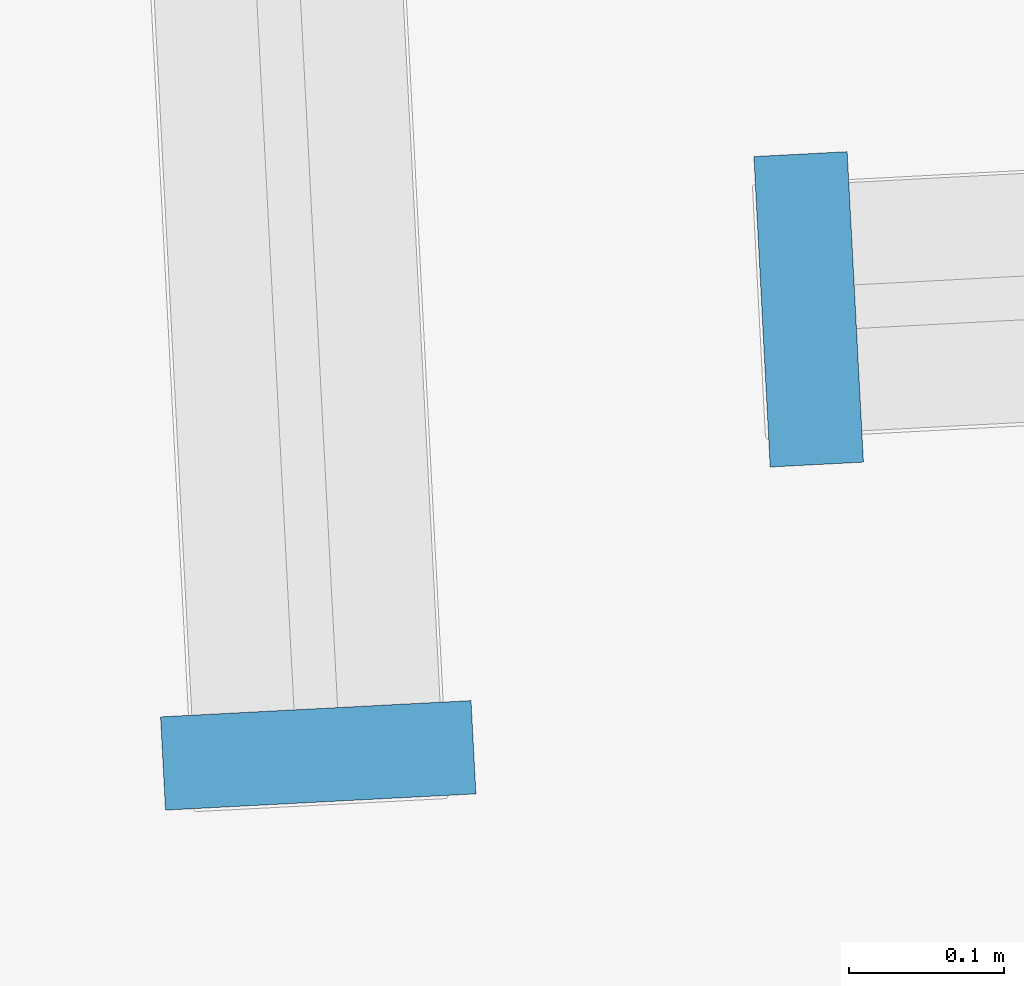
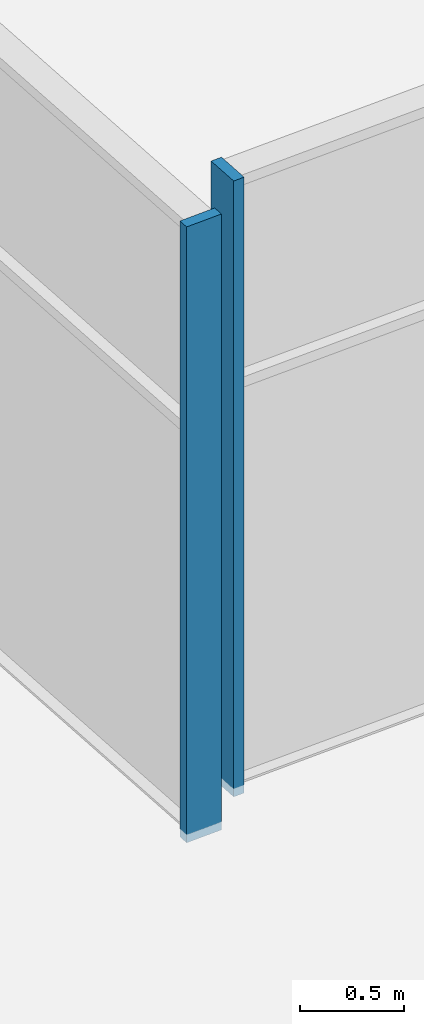
# One storey, part 2 of 12: 2 members, 2 elements without a shape of their own.
"""IFC4 building model written with IfcOpenShell, lengths in metres."""

from ifc_helpers import new_model, si_unit, direction, frame, origin, origin_2d, place, context, subcontext, project, spatial, rectangle, extrude, material, material_profile, profile_set, type_object, element, aggregate, save


model = new_model("IFC4")

# Units and contexts
model_context = context("Model", 3, precision=1e-05, world=origin(), true_north=direction((0.0, 1.0)))
body_context = subcontext(model_context, "Body", "Model", "MODEL_VIEW")
ifc_project = project(units=[si_unit("LENGTHUNIT", "METRE"), si_unit("AREAUNIT", "SQUARE_METRE"), si_unit("VOLUMEUNIT", "CUBIC_METRE"), si_unit("PLANEANGLEUNIT", "RADIAN"), si_unit("MASSUNIT", "GRAM", prefix="KILO")], contexts=[model_context])

# Site, building, storey
site_placement = place(None, origin())
site = spatial("IfcSite", under=ifc_project, at=site_placement, CompositionType="ELEMENT")
building_placement = place(site_placement, origin())
building = spatial("IfcBuilding", under=site, at=building_placement, Name="Dilmun Exchange Tower", CompositionType="ELEMENT")
storey_placement = place(building_placement, frame((0.0, 0.0, 221.300048828125)))
storey = spatial("IfcBuildingStorey", under=building, at=storey_placement, Name="L52", CompositionType="ELEMENT", Elevation=221.300048828125)

# Curtain wall, member
ifc_material_1 = material(Name="Anodised aluminium and clear glass", Category="aluminium")
curtain_wall_type = type_object("IfcCurtainWallType", Name="Garden corner glazing", PredefinedType="NOTDEFINED", material=ifc_material_1)
curtain_wall_1_placement = place(storey_placement, origin())
curtain_wall_1 = element("IfcCurtainWall", 1, at=curtain_wall_1_placement, inside=storey, type_object=curtain_wall_type, Name="Garden corner glazing run GC2.3", PredefinedType="NOTDEFINED")
ifc_material_2 = material(Name="Anodised aluminium", Category="aluminium")
ifc_material_profile = material_profile(ifc_material_2, rectangle(XDim=0.199951171875, YDim=0.06005859375, at=origin_2d()), Name="AL 60x200")
ifc_profile_set = profile_set([ifc_material_profile], Name="Anodised aluminium")
member_type = type_object("IfcMemberType", Name="Garden corner glazing mullion 60 x 200", PredefinedType="MULLION", material=ifc_profile_set)
member_1_placement = place(storey_placement, frame((-1.84375, 28.99853515625, 0.0), z_axis=(0.0, 0.0, 1.0), x_axis=(0.052330683595, -0.998629811068, 0.0)))
member_1 = element("IfcMember", 2, at=member_1_placement, type_object=member_type, Name="GC2.3 mullion 2", PredefinedType="MULLION", context=body_context, shape_type="SweptSolid", body=[
    extrude(rectangle(XDim=0.199951171875, YDim=0.06005859375, at=origin_2d()), origin(), (0.0, 0.0, 1.0), 3.619873046875),
])
aggregate(curtain_wall_1, [member_1])

curtain_wall_2_placement = place(storey_placement, origin())
curtain_wall_2 = element("IfcCurtainWall", 3, at=curtain_wall_2_placement, inside=storey, type_object=curtain_wall_type, Name="Garden corner glazing run GC3.1", PredefinedType="NOTDEFINED")
member_2_placement = place(storey_placement, frame((-2.1591796875, 28.711669921875, 0.0), z_axis=(0.0, 0.0, 1.0), x_axis=(-0.99862965596, -0.052333643452, 0.0)))
member_2 = element("IfcMember", 4, at=member_2_placement, type_object=member_type, Name="GC3.1 mullion 1", PredefinedType="MULLION", context=body_context, shape_type="SweptSolid", body=[
    extrude(rectangle(XDim=0.199951171875, YDim=0.06005859375, at=origin_2d()), origin(), (0.0, 0.0, 1.0), 3.619873046875),
])
aggregate(curtain_wall_2, [member_2])

save(model, "model.ifc")
